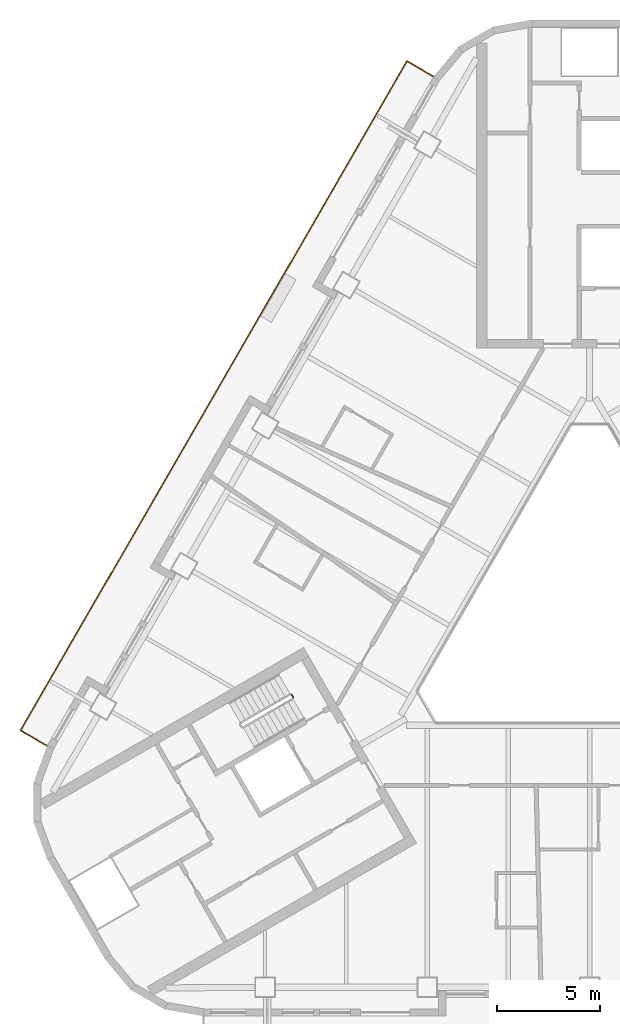
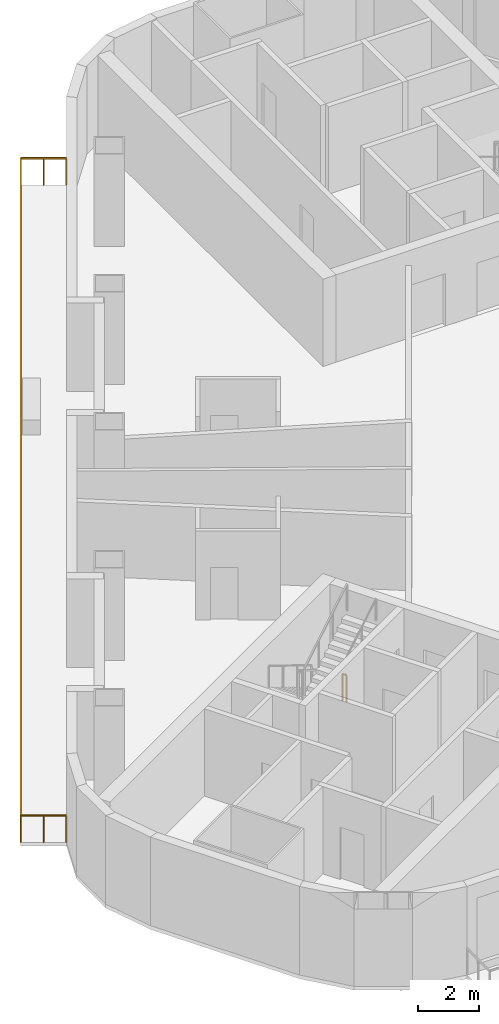
# One storey, part 10 of 13: 2 railings.
"""IFC4 building model written with IfcOpenShell, lengths in metres."""

from ifc_helpers import new_model, si_unit, direction, frame, origin, origin_2d, place, context, subcontext, project, spatial, rectangle, extrude, material, type_object, element, save


model = new_model("IFC4")

# Units and contexts
model_context = context("Model", 3, precision=1e-05, world=origin(), true_north=direction((0.0, 1.0)))
body_context = subcontext(model_context, "Body", "Model", "MODEL_VIEW")
ifc_project = project(units=[si_unit("LENGTHUNIT", "METRE"), si_unit("AREAUNIT", "SQUARE_METRE"), si_unit("VOLUMEUNIT", "CUBIC_METRE"), si_unit("PLANEANGLEUNIT", "RADIAN"), si_unit("MASSUNIT", "GRAM", prefix="KILO")], contexts=[model_context])

# Site, building, storey
site_placement = place(None, origin())
site = spatial("IfcSite", under=ifc_project, at=site_placement, CompositionType="ELEMENT")
building_placement = place(site_placement, origin())
building = spatial("IfcBuilding", under=site, at=building_placement, Name="Apuvela Tower Hotel", CompositionType="ELEMENT")
storey_placement = place(building_placement, frame((0.0, 0.0, 79.800048828125)))
storey = spatial("IfcBuildingStorey", under=building, at=storey_placement, Name="L17", CompositionType="ELEMENT", Elevation=79.800048828125)

# Railings
ifc_material_1 = material(Name="Steel S275 balustrade", Category="steel")
railing_type_1 = type_object("IfcRailingType", Name="COR-GUARD-1100", PredefinedType="GUARDRAIL", material=ifc_material_1)
railing_1_placement = place(storey_placement, frame((-14.500732421875, -3.984130859375, 0.0)))
element("IfcRailing", 1, at=railing_1_placement, inside=storey, type_object=railing_type_1, Name="L17 ST2 stair guard 4", PredefinedType="GUARDRAIL", context=body_context, shape_type="SweptSolid", body=[
    extrude(rectangle(XDim=0.048095703125, YDim=0.048095703125, at=origin_2d()), frame((0.0, 0.0, 1.076171875), z_axis=(0.499816412211, -0.866131372301, 0.0), x_axis=(0.866131372301, 0.499816412211, 0.0)), (0.0, 0.0, 1.0), 0.14990234375),
    extrude(rectangle(XDim=0.0419921875, YDim=0.0419921875, at=origin_2d()), origin(), (0.0, 0.0, 1.0), 1.052001953125),
    extrude(rectangle(XDim=0.0419921875, YDim=0.0419921875, at=origin_2d()), frame((0.074951171875, -0.1298828125, 0.0)), (0.0, 0.0, 1.0), 1.052001953125),
])
ifc_material_2 = material(Name="Stainless steel 316 rail with laminated glass infill", Category="steel")
railing_type_2 = type_object("IfcRailingType", Name="ENV-GUARD-1100", PredefinedType="GUARDRAIL", material=ifc_material_2)
railing_2_placement = place(storey_placement, frame((-7.59228515625, 26.110107421875, 0.0)))
element("IfcRailing", 2, at=railing_2_placement, inside=storey, type_object=railing_type_2, Name="Balcony guard NW L17", PredefinedType="GUARDRAIL", context=body_context, shape_type="SweptSolid", body=[
    extrude(rectangle(XDim=0.050048828125, YDim=0.050048828125, at=origin_2d()), frame((0.0, 0.0, 1.0751953125), z_axis=(-0.86599040064, 0.500060622324, 0.0), x_axis=(-0.500060622324, -0.86599040064, 0.0)), (0.0, 0.0, 1.0), 1.499755859375),
    extrude(rectangle(XDim=0.050048828125, YDim=0.050048828125, at=origin_2d()), frame((-1.298828125, 0.75, 1.0751953125), z_axis=(-0.500000437506, -0.86602515119, 0.0), x_axis=(0.86602515119, -0.500000437506, 0.0)), (0.0, 0.0, 1.0), 37.6318359375),
    extrude(rectangle(XDim=0.050048828125, YDim=0.050048828125, at=origin_2d()), frame((-20.11474609375, -31.840087890625, 1.0751953125), z_axis=(0.866031096941, -0.499990139034, 0.0), x_axis=(0.499990139034, 0.866031096941, 0.0)), (0.0, 0.0, 1.0), 1.5),
    extrude(rectangle(XDim=0.0400390625, YDim=0.0400390625, at=origin_2d()), origin(), (0.0, 0.0, 1.0), 1.050048828125),
    extrude(rectangle(XDim=0.0400390625, YDim=0.0400390625, at=origin_2d()), frame((-0.6494140625, 0.375, 0.0)), (0.0, 0.0, 1.0), 1.050048828125),
    extrude(rectangle(XDim=0.0400390625, YDim=0.0400390625, at=origin_2d()), frame((-1.298828125, 0.75, 0.0)), (0.0, 0.0, 1.0), 1.050048828125),
    extrude(rectangle(XDim=0.0400390625, YDim=0.0400390625, at=origin_2d()), frame((-1.88671875, -0.2685546875, 0.0)), (0.0, 0.0, 1.0), 1.050048828125),
    extrude(rectangle(XDim=0.0400390625, YDim=0.0400390625, at=origin_2d()), frame((-2.474853515625, -1.286865234375, 0.0)), (0.0, 0.0, 1.0), 1.050048828125),
    extrude(rectangle(XDim=0.0400390625, YDim=0.0400390625, at=origin_2d()), frame((-3.062744140625, -2.305419921875, 0.0)), (0.0, 0.0, 1.0), 1.050048828125),
    extrude(rectangle(XDim=0.0400390625, YDim=0.0400390625, at=origin_2d()), frame((-3.65087890625, -3.32373046875, 0.0)), (0.0, 0.0, 1.0), 1.050048828125),
    extrude(rectangle(XDim=0.0400390625, YDim=0.0400390625, at=origin_2d()), frame((-4.23876953125, -4.34228515625, 0.0)), (0.0, 0.0, 1.0), 1.050048828125),
    extrude(rectangle(XDim=0.0400390625, YDim=0.0400390625, at=origin_2d()), frame((-4.826904296875, -5.360595703125, 0.0)), (0.0, 0.0, 1.0), 1.050048828125),
    extrude(rectangle(XDim=0.0400390625, YDim=0.0400390625, at=origin_2d()), frame((-5.414794921875, -6.379150390625, 0.0)), (0.0, 0.0, 1.0), 1.050048828125),
    extrude(rectangle(XDim=0.0400390625, YDim=0.0400390625, at=origin_2d()), frame((-6.0029296875, -7.3974609375, 0.0)), (0.0, 0.0, 1.0), 1.050048828125),
    extrude(rectangle(XDim=0.0400390625, YDim=0.0400390625, at=origin_2d()), frame((-6.5908203125, -8.416015625, 0.0)), (0.0, 0.0, 1.0), 1.050048828125),
    extrude(rectangle(XDim=0.0400390625, YDim=0.0400390625, at=origin_2d()), frame((-7.1787109375, -9.434326171875, 0.0)), (0.0, 0.0, 1.0), 1.050048828125),
    extrude(rectangle(XDim=0.0400390625, YDim=0.0400390625, at=origin_2d()), frame((-7.766845703125, -10.452880859375, 0.0)), (0.0, 0.0, 1.0), 1.050048828125),
    extrude(rectangle(XDim=0.0400390625, YDim=0.0400390625, at=origin_2d()), frame((-8.354736328125, -11.47119140625, 0.0)), (0.0, 0.0, 1.0), 1.050048828125),
    extrude(rectangle(XDim=0.0400390625, YDim=0.0400390625, at=origin_2d()), frame((-8.94287109375, -12.48974609375, 0.0)), (0.0, 0.0, 1.0), 1.050048828125),
    extrude(rectangle(XDim=0.0400390625, YDim=0.0400390625, at=origin_2d()), frame((-9.53076171875, -13.508056640625, 0.0)), (0.0, 0.0, 1.0), 1.050048828125),
    extrude(rectangle(XDim=0.0400390625, YDim=0.0400390625, at=origin_2d()), frame((-10.118896484375, -14.526611328125, 0.0)), (0.0, 0.0, 1.0), 1.050048828125),
    extrude(rectangle(XDim=0.0400390625, YDim=0.0400390625, at=origin_2d()), frame((-10.706787109375, -15.544921875, 0.0)), (0.0, 0.0, 1.0), 1.050048828125),
    extrude(rectangle(XDim=0.0400390625, YDim=0.0400390625, at=origin_2d()), frame((-11.294677734375, -16.5634765625, 0.0)), (0.0, 0.0, 1.0), 1.050048828125),
    extrude(rectangle(XDim=0.0400390625, YDim=0.0400390625, at=origin_2d()), frame((-11.8828125, -17.58203125, 0.0)), (0.0, 0.0, 1.0), 1.050048828125),
    extrude(rectangle(XDim=0.0400390625, YDim=0.0400390625, at=origin_2d()), frame((-12.470703125, -18.600341796875, 0.0)), (0.0, 0.0, 1.0), 1.050048828125),
    extrude(rectangle(XDim=0.0400390625, YDim=0.0400390625, at=origin_2d()), frame((-13.058837890625, -19.618896484375, 0.0)), (0.0, 0.0, 1.0), 1.050048828125),
    extrude(rectangle(XDim=0.0400390625, YDim=0.0400390625, at=origin_2d()), frame((-13.646728515625, -20.63720703125, 0.0)), (0.0, 0.0, 1.0), 1.050048828125),
    extrude(rectangle(XDim=0.0400390625, YDim=0.0400390625, at=origin_2d()), frame((-14.23486328125, -21.65576171875, 0.0)), (0.0, 0.0, 1.0), 1.050048828125),
    extrude(rectangle(XDim=0.0400390625, YDim=0.0400390625, at=origin_2d()), frame((-14.82275390625, -22.674072265625, 0.0)), (0.0, 0.0, 1.0), 1.050048828125),
    extrude(rectangle(XDim=0.0400390625, YDim=0.0400390625, at=origin_2d()), frame((-15.41064453125, -23.692626953125, 0.0)), (0.0, 0.0, 1.0), 1.050048828125),
    extrude(rectangle(XDim=0.0400390625, YDim=0.0400390625, at=origin_2d()), frame((-15.998779296875, -24.7109375, 0.0)), (0.0, 0.0, 1.0), 1.050048828125),
    extrude(rectangle(XDim=0.0400390625, YDim=0.0400390625, at=origin_2d()), frame((-16.586669921875, -25.7294921875, 0.0)), (0.0, 0.0, 1.0), 1.050048828125),
    extrude(rectangle(XDim=0.0400390625, YDim=0.0400390625, at=origin_2d()), frame((-17.1748046875, -26.747802734375, 0.0)), (0.0, 0.0, 1.0), 1.050048828125),
    extrude(rectangle(XDim=0.0400390625, YDim=0.0400390625, at=origin_2d()), frame((-17.7626953125, -27.766357421875, 0.0)), (0.0, 0.0, 1.0), 1.050048828125),
    extrude(rectangle(XDim=0.0400390625, YDim=0.0400390625, at=origin_2d()), frame((-18.350830078125, -28.78466796875, 0.0)), (0.0, 0.0, 1.0), 1.050048828125),
    extrude(rectangle(XDim=0.0400390625, YDim=0.0400390625, at=origin_2d()), frame((-18.938720703125, -29.80322265625, 0.0)), (0.0, 0.0, 1.0), 1.050048828125),
    extrude(rectangle(XDim=0.0400390625, YDim=0.0400390625, at=origin_2d()), frame((-19.52685546875, -30.821533203125, 0.0)), (0.0, 0.0, 1.0), 1.050048828125),
    extrude(rectangle(XDim=0.0400390625, YDim=0.0400390625, at=origin_2d()), frame((-20.11474609375, -31.840087890625, 0.0)), (0.0, 0.0, 1.0), 1.050048828125),
    extrude(rectangle(XDim=0.0400390625, YDim=0.0400390625, at=origin_2d()), frame((-19.46533203125, -32.215087890625, 0.0)), (0.0, 0.0, 1.0), 1.050048828125),
    extrude(rectangle(XDim=0.0400390625, YDim=0.0400390625, at=origin_2d()), frame((-18.815673828125, -32.590087890625, 0.0)), (0.0, 0.0, 1.0), 1.050048828125),
])

save(model, "model.ifc")
